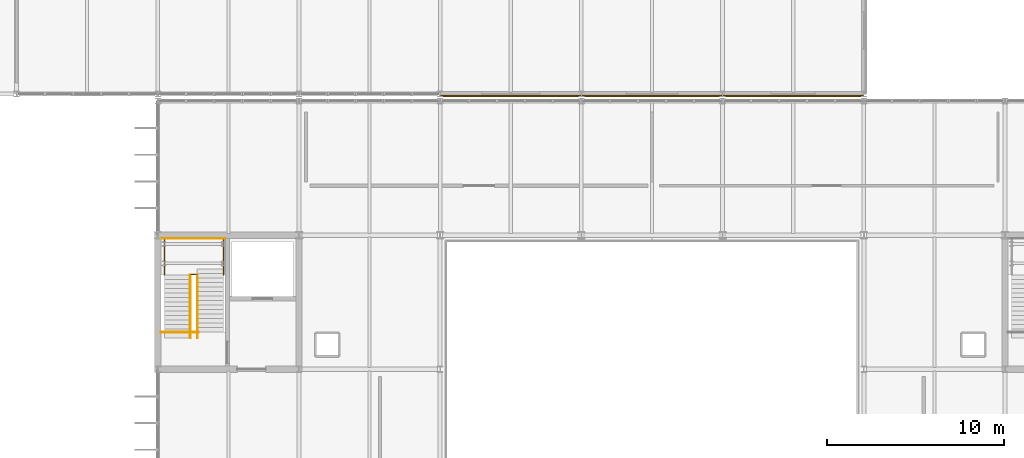
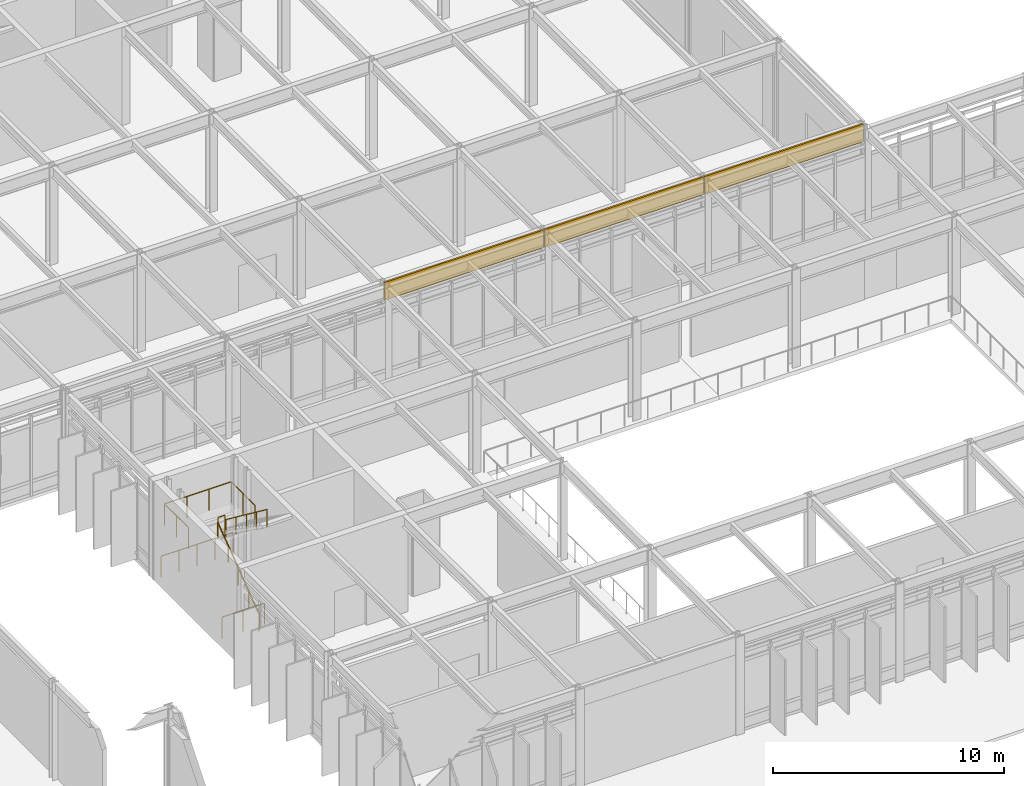
# One storey, part 90 of 94: 6 railings, 3 coverings.
"""IFC4 building model written with IfcOpenShell, lengths in metres."""

import ifcopenshell
import ifcopenshell.guid

model = None  # the IFC model being written
_history = None  # IfcOwnerHistory: only IFC2X3 demands one
_inside = {}  # id of a spatial element -> (the spatial element, [elements in it])
_under = {}  # id of a project, library or spatial element -> (it, [spatial elements below it])
_declared = {}  # id of a project -> (the project, [libraries it declares])
_typed = {}  # id of a type object -> (the type object, [elements of that type])
_made_of = {}  # id of a material, layer set ... -> (it, [elements and type objects made of it])


def new_model(schema):
    """Start an empty IFC model of exactly this schema.

    Asked for "IFC4X3", IfcOpenShell would pick the latest addendum, in which some entities
    have other attributes; the version numbers below select the first issue.
    IFC2X3 requires an IfcOwnerHistory on every rooted entity: one is made here for all.
    """
    global model, _history
    if schema == "IFC4X3":
        model = ifcopenshell.file(schema_version=(4, 3, 0, 0))
    else:
        model = ifcopenshell.file(schema=schema)
    _inside.clear()
    _under.clear()
    _declared.clear()
    _typed.clear()
    _made_of.clear()
    _history = None
    if model.schema == "IFC2X3":
        org = make("IfcOrganization", Name="unknown")
        user = make(
            "IfcPersonAndOrganization",
            ThePerson=make("IfcPerson", FamilyName="unknown"),
            TheOrganization=org,
        )
        app = make(
            "IfcApplication",
            ApplicationDeveloper=org,
            Version="unknown",
            ApplicationFullName="unknown",
            ApplicationIdentifier="unknown",
        )
        _history = make(
            "IfcOwnerHistory",
            OwningUser=user,
            OwningApplication=app,
            ChangeAction="ADDED",
            CreationDate=0,
        )
    return model


def make(cls, **values):
    """One entity of the class cls with the attributes given. An attribute that is None is left unset."""
    return model.create_entity(
        cls, **{name: value for name, value in values.items() if value is not None}
    )


def rooted(cls, **values):
    """An entity with a GlobalId (a new one), such as an element, a storey or a relation."""
    return make(cls, GlobalId=ifcopenshell.guid.new(), OwnerHistory=_history, **values)


def si_unit(unit_type, name, prefix=None):
    """IfcSIUnit, for example si_unit("LENGTHUNIT", "METRE", prefix="MILLI")."""
    return make("IfcSIUnit", UnitType=unit_type, Prefix=prefix, Name=name)


def assignment(units):
    """IfcUnitAssignment: the units of a project."""
    return None if units is None else make("IfcUnitAssignment", Units=units)


def point(xyz):
    """IfcCartesianPoint."""
    return None if xyz is None else make("IfcCartesianPoint", Coordinates=xyz)


def direction(xyz):
    """IfcDirection."""
    return None if xyz is None else make("IfcDirection", DirectionRatios=xyz)


def frame(location, z_axis=None, x_axis=None):
    """IfcAxis2Placement3D, a coordinate frame: its origin and axes. An axis left out is left unset."""
    return make(
        "IfcAxis2Placement3D",
        Location=point(location),
        Axis=direction(z_axis),
        RefDirection=direction(x_axis),
    )


def frame_2d(location, x_axis=None):
    """IfcAxis2Placement2D, a coordinate frame in the plane: its origin and x axis."""
    return make(
        "IfcAxis2Placement2D", Location=point(location), RefDirection=direction(x_axis)
    )


def origin():
    """The frame at (0, 0, 0) with its axes left unset."""
    return frame((0.0, 0.0, 0.0))


def origin_2d():
    """The frame at (0, 0) in the plane with its x axis left unset."""
    return frame_2d((0.0, 0.0))


def place(relative_to, where):
    """IfcLocalPlacement: puts the frame where relative to a parent placement (None: the world)."""
    return make(
        "IfcLocalPlacement", PlacementRelTo=relative_to, RelativePlacement=where
    )


def context(
    kind, dimensions, precision=None, world=None, true_north=None, identifier=None
):
    """IfcGeometricRepresentationContext, for example the 3D "Model" context."""
    return make(
        "IfcGeometricRepresentationContext",
        ContextIdentifier=identifier,
        ContextType=kind,
        CoordinateSpaceDimension=dimensions,
        Precision=precision,
        WorldCoordinateSystem=world,
        TrueNorth=true_north,
    )


def subcontext(parent, identifier, kind, view, scale=None):
    """IfcGeometricRepresentationSubContext, for example "Body" below "Model"."""
    return make(
        "IfcGeometricRepresentationSubContext",
        ContextIdentifier=identifier,
        ContextType=kind,
        ParentContext=parent,
        TargetScale=scale,
        TargetView=view,
    )


def project(units=None, contexts=None):
    """IfcProject with its units and contexts."""
    return rooted(
        "IfcProject",
        Name="project",
        RepresentationContexts=contexts,
        UnitsInContext=assignment(units),
    )


def spatial(cls, under=None, at=None, **own):
    """A site, building, storey or space (cls), placed at a placement, below another one or the project."""
    s = rooted(cls, ObjectPlacement=at, **own)
    if under is not None:
        _under.setdefault(under.id(), (under, []))[1].append(s)
    return s


def profile(cls, at=None, kind="AREA", **sizes):
    """A parametric profile (cls). Its sizes go by their IFC names, for example OverallWidth=200.0."""
    return make(cls, ProfileType=kind, Position=at, **sizes)


def rectangle(**sizes):
    """IfcRectangleProfileDef."""
    return profile("IfcRectangleProfileDef", **sizes)


def circle(**sizes):
    """IfcCircleProfileDef."""
    return profile("IfcCircleProfileDef", **sizes)


def extrude(swept, where, along, depth):
    """IfcExtrudedAreaSolid: the profile swept, set in the frame where, extruded along a direction by depth."""
    return make(
        "IfcExtrudedAreaSolid",
        SweptArea=swept,
        Position=where,
        ExtrudedDirection=direction(along),
        Depth=depth,
    )


def shape(context_of_items, identifier, shape_type, items):
    """IfcShapeRepresentation: the items that make up one representation, for example the "Body"."""
    return make(
        "IfcShapeRepresentation",
        ContextOfItems=context_of_items,
        RepresentationIdentifier=identifier,
        RepresentationType=shape_type,
        Items=items,
    )


def material(Name=None, Category=None):
    """IfcMaterial."""
    return make("IfcMaterial", Name=Name, Category=Category)


def layer(
    of_material, thickness, ventilated=None, Name=None, Category=None, Priority=None
):
    """IfcMaterialLayer: one layer of a wall or slab, of a material (None: an air gap)."""
    return make(
        "IfcMaterialLayer",
        Material=of_material,
        LayerThickness=thickness,
        IsVentilated=ventilated,
        Name=Name,
        Category=Category,
        Priority=Priority,
    )


def layer_set(layers, Name=None):
    """IfcMaterialLayerSet."""
    return make("IfcMaterialLayerSet", MaterialLayers=layers, LayerSetName=Name)


def made_of(thing, what):
    """Note that an element or type object is made of a material, layer set ...; save() writes the relation."""
    if what is not None:
        _made_of.setdefault(what.id(), (what, []))[1].append(thing)
    return thing


def type_object(cls, material=None, **own):
    """A type object (cls), such as IfcWallType, which elements share."""
    return made_of(rooted(cls, **own), material)


def element(
    cls,
    number,
    at=None,
    inside=None,
    cuts=None,
    type_object=None,
    material=None,
    context=None,
    identifier="Body",
    shape_type=None,
    held_by="IfcProductDefinitionShape",
    body=None,
    shapes=None,
    **own,
):
    """One element of the class cls, such as IfcWall. Its Tag is "e" and its number.

    at: its placement. inside: the storey or other place that contains it. cuts: it is an
    opening in that element (IfcRelVoidsElement). A single representation is given by context,
    identifier, shape_type and body (its items); several are given by shapes. held_by: the class
    of the entity that holds the representations. save() writes the other relations.
    """
    e = rooted(cls, Tag="e%d" % number, ObjectPlacement=at, **own)
    if body is not None:
        shapes = [shape(context, identifier, shape_type, body)]
    if shapes is not None:
        e.Representation = make(held_by, Representations=shapes)
    if inside is not None:
        _inside.setdefault(inside.id(), (inside, []))[1].append(e)
    if cuts is not None:
        rooted(
            "IfcRelVoidsElement", RelatingBuildingElement=cuts, RelatedOpeningElement=e
        )
    if type_object is not None:
        _typed.setdefault(type_object.id(), (type_object, []))[1].append(e)
    return made_of(e, material)


def aggregate(whole, parts):
    """IfcRelAggregates: a whole, such as a stair, and the parts it consists of."""
    return rooted("IfcRelAggregates", RelatingObject=whole, RelatedObjects=parts)


def save(model, path):
    """Write the relations noted so far, then the file.

    IfcRelAggregates (storeys below a building ...), IfcRelContainedInSpatialStructure (elements
    in a storey), IfcRelDefinesByType, IfcRelAssociatesMaterial and IfcRelDeclares: one each for
    every whole, place, type object, material and project.
    """
    for whole, parts in _under.values():
        aggregate(whole, parts)
    for where, things in _inside.values():
        rooted(
            "IfcRelContainedInSpatialStructure",
            RelatedElements=things,
            RelatingStructure=where,
        )
    for kind, things in _typed.values():
        rooted("IfcRelDefinesByType", RelatedObjects=things, RelatingType=kind)
    for what, things in _made_of.values():
        rooted("IfcRelAssociatesMaterial", RelatedObjects=things, RelatingMaterial=what)
    for by, libraries in _declared.values():
        rooted("IfcRelDeclares", RelatingContext=by, RelatedDefinitions=libraries)
    model.write(path)


model = new_model("IFC4")

# Units and contexts
model_context = context("Model", 3, precision=1e-05, world=origin(), true_north=direction((0.0, 1.0)))
body_context = subcontext(model_context, "Body", "Model", "MODEL_VIEW")
ifc_project = project(units=[si_unit("LENGTHUNIT", "METRE"), si_unit("AREAUNIT", "SQUARE_METRE"), si_unit("VOLUMEUNIT", "CUBIC_METRE"), si_unit("PLANEANGLEUNIT", "RADIAN"), si_unit("MASSUNIT", "GRAM", prefix="KILO")], contexts=[model_context])

# Site, building, storey
site_placement = place(None, origin())
site = spatial("IfcSite", under=ifc_project, at=site_placement, CompositionType="ELEMENT")
building_placement = place(site_placement, origin())
building = spatial("IfcBuilding", under=site, at=building_placement, Name="Zulena Civic Courthouse", CompositionType="ELEMENT")
storey_placement = place(building_placement, frame((0.0, 0.0, 5.39990234375)))
storey = spatial("IfcBuildingStorey", under=building, at=storey_placement, Name="L01", CompositionType="ELEMENT", Elevation=5.39990234375)

# Railings
ifc_material_1 = material(Name="Brushed architectural steel ASTM A36", Category="steel")
railing_type_1 = type_object("IfcRailingType", Name="InteriorGuardrail_1150", PredefinedType="GUARDRAIL", material=ifc_material_1)
railing_1_placement = place(storey_placement, frame((68.199951171875, 37.81005859375, 0.0)))
element("IfcRailing", 1, at=railing_1_placement, inside=storey, type_object=railing_type_1, Name="gr:wellN:K4A:L00", PredefinedType="GUARDRAIL", context=body_context, shape_type="SweptSolid", body=[
    extrude(circle(Radius=0.02392578125, at=origin_2d()), frame((0.00390625, 0.0, 1.1259765625), z_axis=(1.0, 0.0, 0.0), x_axis=(0.0, 1.0, 0.0)), (0.0, 0.0, 1.0), 3.592041015625),
    extrude(circle(Radius=0.02099609375, at=origin_2d()), origin(), (0.0, 0.0, 1.0), 1.097900390625),
    extrude(circle(Radius=0.02099609375, at=origin_2d()), frame((0.89990234375, 0.0, 0.0)), (0.0, 0.0, 1.0), 1.097900390625),
    extrude(circle(Radius=0.02099609375, at=origin_2d()), frame((1.800048828125, 0.0, 0.0)), (0.0, 0.0, 1.0), 1.097900390625),
    extrude(circle(Radius=0.02099609375, at=origin_2d()), frame((2.7001953125, 0.0, 0.0)), (0.0, 0.0, 1.0), 1.097900390625),
    extrude(circle(Radius=0.02099609375, at=origin_2d()), frame((3.60009765625, 0.0, 0.0)), (0.0, 0.0, 1.0), 1.097900390625),
])
railing_2_placement = place(storey_placement, frame((68.179931640625, 32.5, 0.0)))
element("IfcRailing", 2, at=railing_2_placement, inside=storey, type_object=railing_type_1, Name="gr:wells:K4A:L01", PredefinedType="GUARDRAIL", context=body_context, shape_type="SweptSolid", body=[
    extrude(circle(Radius=0.02392578125, at=origin_2d()), frame((0.00390625, 0.0, 1.1259765625), z_axis=(1.0, 0.0, 0.0), x_axis=(0.0, 1.0, 0.0)), (0.0, 0.0, 1.0), 2.112060546875),
    extrude(circle(Radius=0.02099609375, at=origin_2d()), origin(), (0.0, 0.0, 1.0), 1.097900390625),
    extrude(circle(Radius=0.02099609375, at=origin_2d()), frame((1.06005859375, 0.0, 0.0)), (0.0, 0.0, 1.0), 1.097900390625),
    extrude(circle(Radius=0.02099609375, at=origin_2d()), frame((2.1201171875, 0.0, 0.0)), (0.0, 0.0, 1.0), 1.097900390625),
])
railing_3_placement = place(storey_placement, frame((68.3798828125, 35.74951171875, 2.7001953125)))
element("IfcRailing", 3, at=railing_3_placement, inside=storey, type_object=railing_type_1, Name="gr:lnd:K4A:L01", PredefinedType="GUARDRAIL", context=body_context, shape_type="SweptSolid", body=[
    extrude(circle(Radius=0.02392578125, at=origin_2d()), frame((0.0, 0.00390625, 1.1259765625), z_axis=(0.0, 1.0, 0.0), x_axis=(-1.0, 0.0, 0.0)), (0.0, 0.0, 1.0), 2.0625),
    extrude(circle(Radius=0.02392578125, at=origin_2d()), frame((0.00390625, 2.070556640625, 1.1259765625), z_axis=(1.0, 0.0, 0.0), x_axis=(0.0, 1.0, 0.0)), (0.0, 0.0, 1.0), 3.33203125),
    extrude(circle(Radius=0.02392578125, at=origin_2d()), frame((3.340087890625, 2.066650390625, 1.1259765625), z_axis=(0.0, -1.0, 0.0), x_axis=(1.0, 0.0, 0.0)), (0.0, 0.0, 1.0), 2.0625),
    extrude(circle(Radius=0.02099609375, at=origin_2d()), origin(), (0.0, 0.0, 1.0), 1.097900390625),
    extrude(circle(Radius=0.02099609375, at=origin_2d()), frame((0.0, 1.03515625, 0.0)), (0.0, 0.0, 1.0), 1.097900390625),
    extrude(circle(Radius=0.02099609375, at=origin_2d()), frame((0.0, 2.070556640625, 0.0)), (0.0, 0.0, 1.0), 1.097900390625),
    extrude(circle(Radius=0.02099609375, at=origin_2d()), frame((1.11328125, 2.070556640625, 0.0)), (0.0, 0.0, 1.0), 1.097900390625),
    extrude(circle(Radius=0.02099609375, at=origin_2d()), frame((2.226806640625, 2.070556640625, 0.0)), (0.0, 0.0, 1.0), 1.097900390625),
    extrude(circle(Radius=0.02099609375, at=origin_2d()), frame((3.340087890625, 2.070556640625, 0.0)), (0.0, 0.0, 1.0), 1.097900390625),
    extrude(circle(Radius=0.02099609375, at=origin_2d()), frame((3.340087890625, 1.03515625, 0.0)), (0.0, 0.0, 1.0), 1.097900390625),
    extrude(circle(Radius=0.02099609375, at=origin_2d()), frame((3.340087890625, 0.0, 0.0)), (0.0, 0.0, 1.0), 1.097900390625),
])
railing_4_placement = place(storey_placement, frame((69.8798828125, 35.77001953125, 2.7001953125)))
element("IfcRailing", 4, at=railing_4_placement, inside=storey, type_object=railing_type_1, Name="gr:lndslot:K4A:L01", PredefinedType="GUARDRAIL", context=body_context, shape_type="SweptSolid", body=[
    extrude(circle(Radius=0.02392578125, at=origin_2d()), frame((0.00390625, 0.0, 1.1259765625), z_axis=(1.0, 0.0, 0.0), x_axis=(0.0, 1.0, 0.0)), (0.0, 0.0, 1.0), 0.33203125),
    extrude(circle(Radius=0.02099609375, at=origin_2d()), origin(), (0.0, 0.0, 1.0), 1.097900390625),
    extrude(circle(Radius=0.02099609375, at=origin_2d()), frame((0.340087890625, 0.0, 0.0)), (0.0, 0.0, 1.0), 1.097900390625),
])

# Coverings
ifc_material_2 = material(Name="White architectural precast concrete C40/50", Category="concrete")
ifc_layer = layer(ifc_material_2, 0.0849609375)
ifc_layer_set = layer_set([ifc_layer], Name="White architectural precast concrete C40/50")
covering_type = type_object("IfcCoveringType", Name="PrecastSpandrelCladding_85", PredefinedType="CLADDING", material=ifc_layer_set)
for number, where, z_axis, x_axis, name in (
    (5, (104.0, 45.8798828125, 4.250244140625), (0.0, 0.0, 1.0), (-1.0, 0.0, 0.0), "clad:sp:V5:L01:5:0"),
    (6, (96.0, 45.8798828125, 4.250244140625), (0.0, 0.0, 1.0), (-1.0, 0.0, 0.0), "clad:sp:V5:L01:5:1"),
    (7, (88.0, 45.8798828125, 4.250244140625), (0.0, 0.0, 1.0), (-1.0, 0.0, 0.0), "clad:sp:V5:L01:5:2"),
):
    element("IfcCovering", number, at=place(storey_placement, frame(where, z_axis=z_axis, x_axis=x_axis)), inside=storey, type_object=covering_type, Name=name, PredefinedType="CLADDING", context=body_context, shape_type="SweptSolid", body=[
        extrude(rectangle(XDim=7.9599609375, YDim=0.0849609375, at=origin_2d()), origin(), (0.0, 0.0, 1.0), 0.93994140625),
    ])

# Railings
railing_type_2 = type_object("IfcRailingType", Name="StairHandrail_920", PredefinedType="HANDRAIL", material=ifc_material_1)
railing_5_placement = place(storey_placement, frame((69.85009765625, 32.179931640625, 0.0)))
element("IfcRailing", 8, at=railing_5_placement, inside=storey, type_object=railing_type_2, Name="hr:K4A:L01:1", PredefinedType="HANDRAIL", context=body_context, shape_type="SweptSolid", body=[
    extrude(circle(Radius=0.02392578125, at=origin_2d()), frame((0.0, 0.003173828125, 0.898193359375), z_axis=(0.0, 0.797525546601, 0.603285175119), x_axis=(-1.0, 0.0, 0.0)), (0.0, 0.0, 1.0), 4.4677734375),
    extrude(circle(Radius=0.02099609375, at=origin_2d()), origin(), (0.0, 0.0, 1.0), 0.867919921875),
    extrude(circle(Radius=0.02099609375, at=origin_2d()), frame((0.0, 0.892333984375, 0.675048828125)), (0.0, 0.0, 1.0), 0.867919921875),
    extrude(circle(Radius=0.02099609375, at=origin_2d()), frame((0.0, 1.78466796875, 1.35009765625)), (0.0, 0.0, 1.0), 0.867919921875),
    extrude(circle(Radius=0.02099609375, at=origin_2d()), frame((0.0, 2.67724609375, 2.025146484375)), (0.0, 0.0, 1.0), 0.867919921875),
    extrude(circle(Radius=0.02099609375, at=origin_2d()), frame((0.0, 3.569580078125, 2.7001953125)), (0.0, 0.0, 1.0), 0.867919921875),
])
railing_6_placement = place(storey_placement, frame((70.25, 35.74951171875, 2.7001953125)))
element("IfcRailing", 9, at=railing_6_placement, inside=storey, type_object=railing_type_2, Name="hr:K4A:L01:2", PredefinedType="HANDRAIL", context=body_context, shape_type="SweptSolid", body=[
    extrude(circle(Radius=0.02392578125, at=origin_2d()), frame((0.0, -0.003173828125, 0.898193359375), z_axis=(0.0, -0.797551790998, 0.603250479218), x_axis=(1.0, 0.0, 0.0)), (0.0, 0.0, 1.0), 4.4677734375),
    extrude(circle(Radius=0.02099609375, at=origin_2d()), origin(), (0.0, 0.0, 1.0), 0.867919921875),
    extrude(circle(Radius=0.02099609375, at=origin_2d()), frame((0.0, -0.892333984375, 0.675048828125)), (0.0, 0.0, 1.0), 0.867919921875),
    extrude(circle(Radius=0.02099609375, at=origin_2d()), frame((0.0, -1.78466796875, 1.35009765625)), (0.0, 0.0, 1.0), 0.867919921875),
    extrude(circle(Radius=0.02099609375, at=origin_2d()), frame((0.0, -2.67724609375, 2.02490234375)), (0.0, 0.0, 1.0), 0.867919921875),
    extrude(circle(Radius=0.02099609375, at=origin_2d()), frame((0.0, -3.569580078125, 2.699951171875)), (0.0, 0.0, 1.0), 0.867919921875),
])

save(model, "model.ifc")
